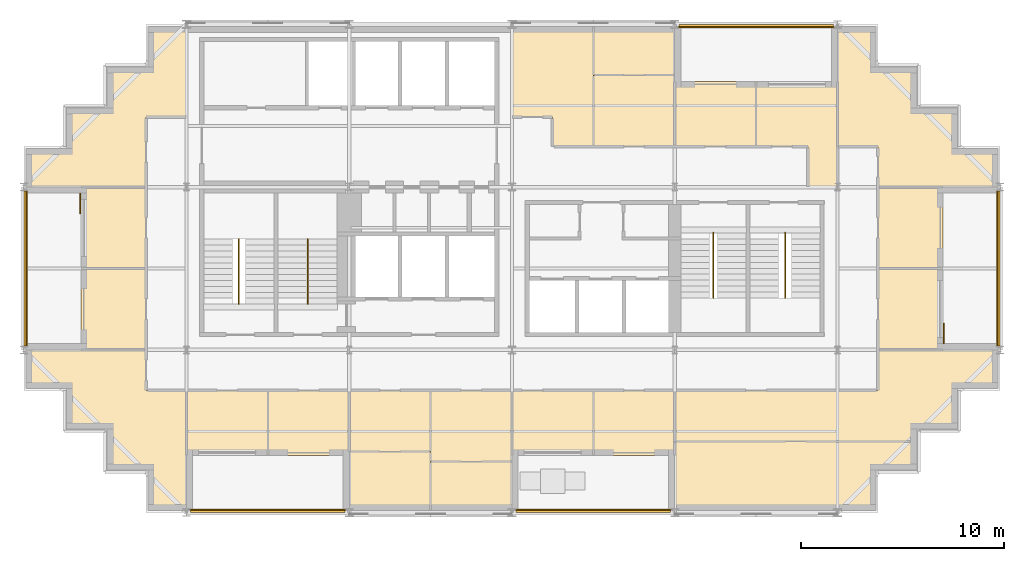
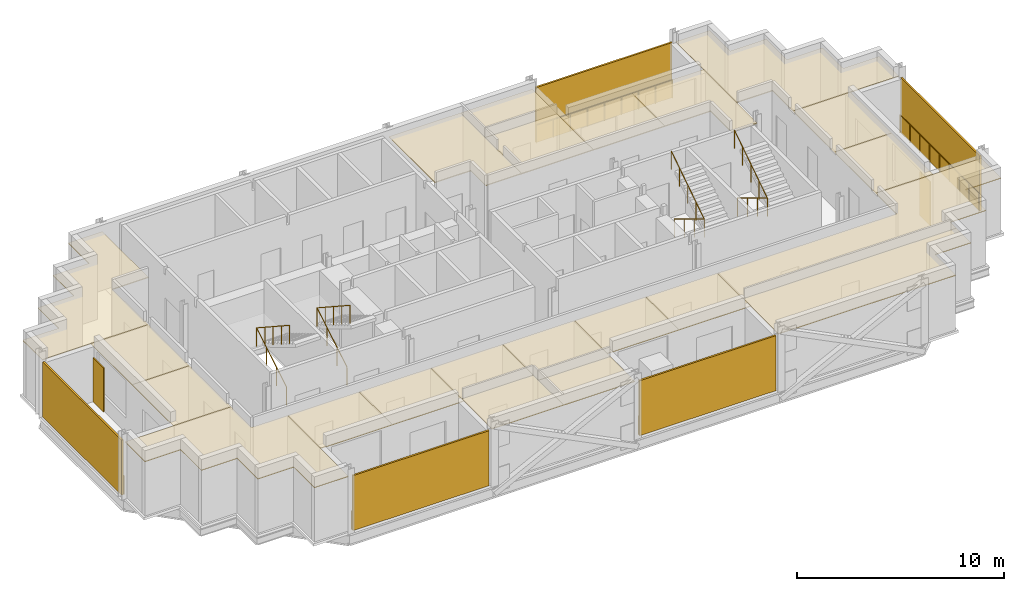
# One storey, part 9 of 10: 22 coverings, 9 railings, 7 shading devices.
"""IFC4 building model written with IfcOpenShell, lengths in metres."""

from ifc_helpers import new_model, si_unit, direction, frame, origin, origin_2d, place, context, subcontext, project, spatial, polyline, rectangle, circle, outline, extrude, material, layer, layer_set, type_object, element, save


model = new_model("IFC4")

# Units and contexts
model_context = context("Model", 3, precision=1e-05, world=origin(), true_north=direction((0.0, 1.0)))
body_context = subcontext(model_context, "Body", "Model", "MODEL_VIEW")
ifc_project = project(units=[si_unit("LENGTHUNIT", "METRE"), si_unit("AREAUNIT", "SQUARE_METRE"), si_unit("VOLUMEUNIT", "CUBIC_METRE"), si_unit("PLANEANGLEUNIT", "RADIAN"), si_unit("MASSUNIT", "GRAM", prefix="KILO")], contexts=[model_context])

# Site, building, storey
site_placement = place(None, origin())
site = spatial("IfcSite", under=ifc_project, at=site_placement, CompositionType="ELEMENT")
building_placement = place(site_placement, origin())
building = spatial("IfcBuilding", under=site, at=building_placement, Name="Immortelle Media Tower", CompositionType="ELEMENT")
storey_placement = place(building_placement, frame((0.0, 0.0, 275.0)))
storey = spatial("IfcBuildingStorey", under=building, at=storey_placement, Name="L60", CompositionType="ELEMENT", Elevation=275.0)

# Railings
ifc_material_1 = material(Name="Powder-coated aluminium fretwork panel, laminated glass backing", Category="aluminium")
railing_type_1 = type_object("IfcRailingType", Name="Fretwork balustrade 1100", PredefinedType="BALUSTRADE", material=ifc_material_1)
railing_1_placement = place(storey_placement, frame((8.1865234375, 0.139892578125, 0.0)))
element("IfcRailing", 1, at=railing_1_placement, inside=storey, type_object=railing_type_1, Name="Fretwork balustrade L60 S0", PredefinedType="BALUSTRADE", context=body_context, shape_type="SweptSolid", body=[
    extrude(circle(Radius=0.02490234375, at=origin_2d()), frame((0.0, 0.0, 1.0751953125), z_axis=(1.0, 0.0, 0.0), x_axis=(0.0, 1.0, 0.0)), (0.0, 0.0, 1.0), 7.614013671875),
    extrude(circle(Radius=0.02001953125, at=origin_2d()), origin(), (0.0, 0.0, 1.0), 1.050048828125),
    extrude(circle(Radius=0.02001953125, at=origin_2d()), frame((0.95166015625, 0.0, 0.0)), (0.0, 0.0, 1.0), 1.050048828125),
    extrude(circle(Radius=0.02001953125, at=origin_2d()), frame((1.903564453125, 0.0, 0.0)), (0.0, 0.0, 1.0), 1.050048828125),
    extrude(circle(Radius=0.02001953125, at=origin_2d()), frame((2.855224609375, 0.0, 0.0)), (0.0, 0.0, 1.0), 1.050048828125),
    extrude(circle(Radius=0.02001953125, at=origin_2d()), frame((3.80712890625, 0.0, 0.0)), (0.0, 0.0, 1.0), 1.050048828125),
    extrude(circle(Radius=0.02001953125, at=origin_2d()), frame((4.7587890625, 0.0, 0.0)), (0.0, 0.0, 1.0), 1.050048828125),
    extrude(circle(Radius=0.02001953125, at=origin_2d()), frame((5.71044921875, 0.0, 0.0)), (0.0, 0.0, 1.0), 1.050048828125),
    extrude(circle(Radius=0.02001953125, at=origin_2d()), frame((6.662353515625, 0.0, 0.0)), (0.0, 0.0, 1.0), 1.050048828125),
    extrude(circle(Radius=0.02001953125, at=origin_2d()), frame((7.614013671875, 0.0, 0.0)), (0.0, 0.0, 1.0), 1.050048828125),
])
railing_2_placement = place(storey_placement, frame((24.199462890625, 0.139892578125, 0.0)))
element("IfcRailing", 2, at=railing_2_placement, inside=storey, type_object=railing_type_1, Name="Fretwork balustrade L60 S2", PredefinedType="BALUSTRADE", context=body_context, shape_type="SweptSolid", body=[
    extrude(circle(Radius=0.02490234375, at=origin_2d()), frame((0.0, 0.0, 1.0751953125), z_axis=(1.0, 0.0, 0.0), x_axis=(0.0, 1.0, 0.0)), (0.0, 0.0, 1.0), 7.60107421875),
    extrude(circle(Radius=0.02001953125, at=origin_2d()), origin(), (0.0, 0.0, 1.0), 1.050048828125),
    extrude(circle(Radius=0.02001953125, at=origin_2d()), frame((0.9501953125, 0.0, 0.0)), (0.0, 0.0, 1.0), 1.050048828125),
    extrude(circle(Radius=0.02001953125, at=origin_2d()), frame((1.900390625, 0.0, 0.0)), (0.0, 0.0, 1.0), 1.050048828125),
    extrude(circle(Radius=0.02001953125, at=origin_2d()), frame((2.850341796875, 0.0, 0.0)), (0.0, 0.0, 1.0), 1.050048828125),
    extrude(circle(Radius=0.02001953125, at=origin_2d()), frame((3.800537109375, 0.0, 0.0)), (0.0, 0.0, 1.0), 1.050048828125),
    extrude(circle(Radius=0.02001953125, at=origin_2d()), frame((4.750732421875, 0.0, 0.0)), (0.0, 0.0, 1.0), 1.050048828125),
    extrude(circle(Radius=0.02001953125, at=origin_2d()), frame((5.70068359375, 0.0, 0.0)), (0.0, 0.0, 1.0), 1.050048828125),
    extrude(circle(Radius=0.02001953125, at=origin_2d()), frame((6.65087890625, 0.0, 0.0)), (0.0, 0.0, 1.0), 1.050048828125),
    extrude(circle(Radius=0.02001953125, at=origin_2d()), frame((7.60107421875, 0.0, 0.0)), (0.0, 0.0, 1.0), 1.050048828125),
])
railing_3_placement = place(storey_placement, frame((47.860107421875, 8.18408203125, 0.0)))
element("IfcRailing", 3, at=railing_3_placement, inside=storey, type_object=railing_type_1, Name="Fretwork balustrade L60 E0", PredefinedType="BALUSTRADE", context=body_context, shape_type="SweptSolid", body=[
    extrude(circle(Radius=0.02490234375, at=origin_2d()), frame((0.0, 0.0, 1.0751953125), z_axis=(0.0, 1.0, 0.0), x_axis=(-1.0, 0.0, 0.0)), (0.0, 0.0, 1.0), 7.6318359375),
    extrude(circle(Radius=0.02001953125, at=origin_2d()), origin(), (0.0, 0.0, 1.0), 1.050048828125),
    extrude(circle(Radius=0.02001953125, at=origin_2d()), frame((0.0, 0.9541015625, 0.0)), (0.0, 0.0, 1.0), 1.050048828125),
    extrude(circle(Radius=0.02001953125, at=origin_2d()), frame((0.0, 1.907958984375, 0.0)), (0.0, 0.0, 1.0), 1.050048828125),
    extrude(circle(Radius=0.02001953125, at=origin_2d()), frame((0.0, 2.86181640625, 0.0)), (0.0, 0.0, 1.0), 1.050048828125),
    extrude(circle(Radius=0.02001953125, at=origin_2d()), frame((0.0, 3.81591796875, 0.0)), (0.0, 0.0, 1.0), 1.050048828125),
    extrude(circle(Radius=0.02001953125, at=origin_2d()), frame((0.0, 4.77001953125, 0.0)), (0.0, 0.0, 1.0), 1.050048828125),
    extrude(circle(Radius=0.02001953125, at=origin_2d()), frame((0.0, 5.723876953125, 0.0)), (0.0, 0.0, 1.0), 1.050048828125),
    extrude(circle(Radius=0.02001953125, at=origin_2d()), frame((0.0, 6.677734375, 0.0)), (0.0, 0.0, 1.0), 1.050048828125),
    extrude(circle(Radius=0.02001953125, at=origin_2d()), frame((0.0, 7.6318359375, 0.0)), (0.0, 0.0, 1.0), 1.050048828125),
])
railing_4_placement = place(storey_placement, frame((39.8134765625, 23.860107421875, 0.0)))
element("IfcRailing", 4, at=railing_4_placement, inside=storey, type_object=railing_type_1, Name="Fretwork balustrade L60 N0", PredefinedType="BALUSTRADE", context=body_context, shape_type="SweptSolid", body=[
    extrude(circle(Radius=0.02490234375, at=origin_2d()), frame((0.0, 0.0, 1.0751953125), z_axis=(-1.0, 0.0, 0.0), x_axis=(0.0, -1.0, 0.0)), (0.0, 0.0, 1.0), 7.614013671875),
    extrude(circle(Radius=0.02001953125, at=origin_2d()), origin(), (0.0, 0.0, 1.0), 1.050048828125),
    extrude(circle(Radius=0.02001953125, at=origin_2d()), frame((-0.95166015625, 0.0, 0.0)), (0.0, 0.0, 1.0), 1.050048828125),
    extrude(circle(Radius=0.02001953125, at=origin_2d()), frame((-1.903564453125, 0.0, 0.0)), (0.0, 0.0, 1.0), 1.050048828125),
    extrude(circle(Radius=0.02001953125, at=origin_2d()), frame((-2.855224609375, 0.0, 0.0)), (0.0, 0.0, 1.0), 1.050048828125),
    extrude(circle(Radius=0.02001953125, at=origin_2d()), frame((-3.80712890625, 0.0, 0.0)), (0.0, 0.0, 1.0), 1.050048828125),
    extrude(circle(Radius=0.02001953125, at=origin_2d()), frame((-4.7587890625, 0.0, 0.0)), (0.0, 0.0, 1.0), 1.050048828125),
    extrude(circle(Radius=0.02001953125, at=origin_2d()), frame((-5.71044921875, 0.0, 0.0)), (0.0, 0.0, 1.0), 1.050048828125),
    extrude(circle(Radius=0.02001953125, at=origin_2d()), frame((-6.662353515625, 0.0, 0.0)), (0.0, 0.0, 1.0), 1.050048828125),
    extrude(circle(Radius=0.02001953125, at=origin_2d()), frame((-7.614013671875, 0.0, 0.0)), (0.0, 0.0, 1.0), 1.050048828125),
])
railing_5_placement = place(storey_placement, frame((0.139892578125, 15.81591796875, 0.0)))
element("IfcRailing", 5, at=railing_5_placement, inside=storey, type_object=railing_type_1, Name="Fretwork balustrade L60 W0", PredefinedType="BALUSTRADE", context=body_context, shape_type="SweptSolid", body=[
    extrude(circle(Radius=0.02490234375, at=origin_2d()), frame((0.0, 0.0, 1.0751953125), z_axis=(0.0, -1.0, 0.0), x_axis=(1.0, 0.0, 0.0)), (0.0, 0.0, 1.0), 7.6318359375),
    extrude(circle(Radius=0.02001953125, at=origin_2d()), origin(), (0.0, 0.0, 1.0), 1.050048828125),
    extrude(circle(Radius=0.02001953125, at=origin_2d()), frame((0.0, -0.9541015625, 0.0)), (0.0, 0.0, 1.0), 1.050048828125),
    extrude(circle(Radius=0.02001953125, at=origin_2d()), frame((0.0, -1.907958984375, 0.0)), (0.0, 0.0, 1.0), 1.050048828125),
    extrude(circle(Radius=0.02001953125, at=origin_2d()), frame((0.0, -2.86181640625, 0.0)), (0.0, 0.0, 1.0), 1.050048828125),
    extrude(circle(Radius=0.02001953125, at=origin_2d()), frame((0.0, -3.81591796875, 0.0)), (0.0, 0.0, 1.0), 1.050048828125),
    extrude(circle(Radius=0.02001953125, at=origin_2d()), frame((0.0, -4.77001953125, 0.0)), (0.0, 0.0, 1.0), 1.050048828125),
    extrude(circle(Radius=0.02001953125, at=origin_2d()), frame((0.0, -5.723876953125, 0.0)), (0.0, 0.0, 1.0), 1.050048828125),
    extrude(circle(Radius=0.02001953125, at=origin_2d()), frame((0.0, -6.677734375, 0.0)), (0.0, 0.0, 1.0), 1.050048828125),
    extrude(circle(Radius=0.02001953125, at=origin_2d()), frame((0.0, -7.6318359375, 0.0)), (0.0, 0.0, 1.0), 1.050048828125),
])

# Shading devices
ifc_material_2 = material(Name="Pale aluminium louvre blades", Category="aluminium")
ifc_layer_1 = layer(ifc_material_2, 0.10009765625)
ifc_layer_set_1 = layer_set([ifc_layer_1], Name="Pale aluminium louvre blades")
shading_device_type_1 = type_object("IfcShadingDeviceType", Name="Jalousie screen 100", PredefinedType="JALOUSIE", material=ifc_layer_set_1)
shading_device_1_placement = place(storey_placement, frame((11.993408203125, 0.050048828125, 0.0), z_axis=(0.0, 0.0, 1.0), x_axis=(1.0, 0.0, 0.0)))
element("IfcShadingDevice", 6, at=shading_device_1_placement, inside=storey, type_object=shading_device_type_1, Name="Jalousie screen L60 S0", PredefinedType="JALOUSIE", context=body_context, shape_type="SweptSolid", body=[
    extrude(rectangle(XDim=7.614013671875, YDim=0.10009765625, at=origin_2d()), origin(), (0.0, 0.0, 1.0), 3.248046875),
])
shading_device_2_placement = place(storey_placement, frame((28.0, 0.050048828125, 0.0), z_axis=(0.0, 0.0, 1.0), x_axis=(1.0, 0.0, 0.0)))
element("IfcShadingDevice", 7, at=shading_device_2_placement, inside=storey, type_object=shading_device_type_1, Name="Jalousie screen L60 S2", PredefinedType="JALOUSIE", context=body_context, shape_type="SweptSolid", body=[
    extrude(rectangle(XDim=7.60107421875, YDim=0.10009765625, at=origin_2d()), origin(), (0.0, 0.0, 1.0), 3.248046875),
])
shading_device_3_placement = place(storey_placement, frame((47.949951171875, 12.0, 0.0), z_axis=(0.0, 0.0, 1.0), x_axis=(0.0, 1.0, 0.0)))
element("IfcShadingDevice", 8, at=shading_device_3_placement, inside=storey, type_object=shading_device_type_1, Name="Jalousie screen L60 E0", PredefinedType="JALOUSIE", context=body_context, shape_type="SweptSolid", body=[
    extrude(rectangle(XDim=7.632080078125, YDim=0.10009765625, at=origin_2d()), origin(), (0.0, 0.0, 1.0), 3.248046875),
])
shading_device_4_placement = place(storey_placement, frame((36.006591796875, 23.949951171875, 0.0), z_axis=(0.0, 0.0, 1.0), x_axis=(-1.0, 0.0, 0.0)))
element("IfcShadingDevice", 9, at=shading_device_4_placement, inside=storey, type_object=shading_device_type_1, Name="Jalousie screen L60 N0", PredefinedType="JALOUSIE", context=body_context, shape_type="SweptSolid", body=[
    extrude(rectangle(XDim=7.614013671875, YDim=0.10009765625, at=origin_2d()), origin(), (0.0, 0.0, 1.0), 3.248046875),
])
shading_device_5_placement = place(storey_placement, frame((0.050048828125, 12.0, 0.0), z_axis=(0.0, 0.0, 1.0), x_axis=(0.0, -1.0, 0.0)))
element("IfcShadingDevice", 10, at=shading_device_5_placement, inside=storey, type_object=shading_device_type_1, Name="Jalousie screen L60 W0", PredefinedType="JALOUSIE", context=body_context, shape_type="SweptSolid", body=[
    extrude(rectangle(XDim=7.632080078125, YDim=0.10009765625, at=origin_2d()), origin(), (0.0, 0.0, 1.0), 3.248046875),
])
ifc_material_3 = material(Name="Pale aluminium louvre blades in a folding frame", Category="aluminium")
ifc_layer_2 = layer(ifc_material_3, 0.050048828125)
ifc_layer_set_2 = layer_set([ifc_layer_2], Name="Pale aluminium louvre blades in a folding frame")
shading_device_type_2 = type_object("IfcShadingDeviceType", Name="Louvred loggia shutter", PredefinedType="SHUTTER", material=ifc_layer_set_2)
for number, where, z_axis, x_axis, name in (
    (11, (45.22509765625, 8.800048828125, 0.0), (0.0, 0.0, 1.0), (0.0, 1.0, 0.0), "Loggia shutter L60 E0"),
    (12, (2.77490234375, 15.199951171875, 0.0), (0.0, 0.0, 1.0), (0.0, -1.0, 0.0), "Loggia shutter L60 W0"),
):
    element("IfcShadingDevice", number, at=place(storey_placement, frame(where, z_axis=z_axis, x_axis=x_axis)), inside=storey, type_object=shading_device_type_2, Name=name, PredefinedType="SHUTTER", context=body_context, shape_type="SweptSolid", body=[
        extrude(rectangle(XDim=1.0, YDim=0.050048828125, at=origin_2d()), origin(), (0.0, 0.0, 1.0), 2.60009765625),
    ])

# Railings
ifc_material_4 = material(Name="Stainless steel AISI 316", Category="steel")
railing_type_2 = type_object("IfcRailingType", Name="Stair guard 1100", PredefinedType="GUARDRAIL", material=ifc_material_4)
for number, where, name in (
    (13, (10.574951171875, 10.5400390625, 0.173828125), "Stair guard SW1"),
    (14, (13.949951171875, 10.5400390625, 0.173828125), "Stair guard SW2"),
):
    element("IfcRailing", number, at=place(storey_placement, frame(where)), inside=storey, type_object=railing_type_2, Name=name, PredefinedType="GUARDRAIL", context=body_context, shape_type="SweptSolid", body=[
        extrude(circle(Radius=0.02392578125, at=origin_2d()), frame((0.0, 0.0, 1.076171875), z_axis=(0.0, 0.857582100076, 0.514347102285), x_axis=(-1.0, 0.0, 0.0)), (0.0, 0.0, 1.0), 3.381591796875),
        extrude(circle(Radius=0.02392578125, at=origin_2d()), frame((0.0, 2.89990234375, 2.8154296875), z_axis=(0.0, -0.836827423118, 0.547466769693), x_axis=(1.0, 0.0, 0.0)), (0.0, 0.0, 1.0), 3.81201171875),
        extrude(circle(Radius=0.02099609375, at=origin_2d()), origin(), (0.0, 0.0, 1.0), 1.052001953125),
        extrude(circle(Radius=0.02099609375, at=origin_2d()), frame((0.0, 0.966552734375, 0.579833984375)), (0.0, 0.0, 1.0), 1.052001953125),
        extrude(circle(Radius=0.02099609375, at=origin_2d()), frame((0.0, 1.933349609375, 1.159423828125)), (0.0, 0.0, 1.0), 1.052001953125),
        extrude(circle(Radius=0.02099609375, at=origin_2d()), frame((0.0, 2.89990234375, 1.7392578125)), (0.0, 0.0, 1.0), 1.052001953125),
        extrude(circle(Radius=0.02099609375, at=origin_2d()), frame((0.0, 2.1025390625, 2.260986328125)), (0.0, 0.0, 1.0), 1.052001953125),
        extrude(circle(Radius=0.02099609375, at=origin_2d()), frame((0.0, 1.304931640625, 2.78271484375)), (0.0, 0.0, 1.0), 1.052001953125),
        extrude(circle(Radius=0.02099609375, at=origin_2d()), frame((0.0, 0.50732421875, 3.304443359375)), (0.0, 0.0, 1.0), 1.052001953125),
        extrude(circle(Radius=0.02099609375, at=origin_2d()), frame((0.0, -0.2900390625, 3.826171875)), (0.0, 0.0, 1.0), 1.052001953125),
    ])
for number, where, name in (
    (15, (33.89990234375, 13.4599609375, 0.173828125), "Stair guard SE1"),
    (16, (37.425048828125, 13.4599609375, 0.173828125), "Stair guard SE2"),
):
    element("IfcRailing", number, at=place(storey_placement, frame(where)), inside=storey, type_object=railing_type_2, Name=name, PredefinedType="GUARDRAIL", context=body_context, shape_type="SweptSolid", body=[
        extrude(circle(Radius=0.02392578125, at=origin_2d()), frame((0.0, 0.0, 1.076171875), z_axis=(0.0, -0.857582100076, 0.514347102285), x_axis=(1.0, 0.0, 0.0)), (0.0, 0.0, 1.0), 3.381591796875),
        extrude(circle(Radius=0.02392578125, at=origin_2d()), frame((0.0, -2.89990234375, 2.8154296875), z_axis=(0.0, 0.836827423118, 0.547466769693), x_axis=(-1.0, 0.0, 0.0)), (0.0, 0.0, 1.0), 3.81201171875),
        extrude(circle(Radius=0.02099609375, at=origin_2d()), origin(), (0.0, 0.0, 1.0), 1.052001953125),
        extrude(circle(Radius=0.02099609375, at=origin_2d()), frame((0.0, -0.966552734375, 0.579833984375)), (0.0, 0.0, 1.0), 1.052001953125),
        extrude(circle(Radius=0.02099609375, at=origin_2d()), frame((0.0, -1.933349609375, 1.159423828125)), (0.0, 0.0, 1.0), 1.052001953125),
        extrude(circle(Radius=0.02099609375, at=origin_2d()), frame((0.0, -2.89990234375, 1.7392578125)), (0.0, 0.0, 1.0), 1.052001953125),
        extrude(circle(Radius=0.02099609375, at=origin_2d()), frame((0.0, -2.1025390625, 2.260986328125)), (0.0, 0.0, 1.0), 1.052001953125),
        extrude(circle(Radius=0.02099609375, at=origin_2d()), frame((0.0, -1.304931640625, 2.78271484375)), (0.0, 0.0, 1.0), 1.052001953125),
        extrude(circle(Radius=0.02099609375, at=origin_2d()), frame((0.0, -0.50732421875, 3.304443359375)), (0.0, 0.0, 1.0), 1.052001953125),
        extrude(circle(Radius=0.02099609375, at=origin_2d()), frame((0.0, 0.2900390625, 3.826171875)), (0.0, 0.0, 1.0), 1.052001953125),
    ])

# Coverings
ifc_material_5 = material(Name="Mineral fibre tile ceiling")
ifc_layer_3 = layer(ifc_material_5, 0.050048828125)
ifc_layer_set_3 = layer_set([ifc_layer_3], Name="Mineral fibre tile ceiling")
covering_type = type_object("IfcCoveringType", Name="Suspended ceiling 50", PredefinedType="CEILING", material=ifc_layer_set_3)
covering_1_placement = place(storey_placement, frame((0.0, 0.0, 3.18798828125)))
element("IfcCovering", 17, at=covering_1_placement, inside=storey, type_object=covering_type, Name="Ceiling L60-001", PredefinedType="CEILING", context=body_context, shape_type="SweptSolid", body=[
    extrude(outline(polyline([(16.0, 6.0), (20.0, 6.0), (20.0, 3.0), (16.0, 3.0), (16.0, 6.0)])), origin(), (0.0, 0.0, 1.0), 0.050048828125),
])
covering_2_placement = place(storey_placement, frame((0.0, 0.0, 3.18798828125)))
element("IfcCovering", 18, at=covering_2_placement, inside=storey, type_object=covering_type, Name="Ceiling L60-002", PredefinedType="CEILING", context=body_context, shape_type="SweptSolid", body=[
    extrude(outline(polyline([(16.0, 3.0), (20.0, 3.0), (20.0, 0.10009765625), (16.0, 0.10009765625), (16.0, 2.800048828125), (16.0, 3.0)])), origin(), (0.0, 0.0, 1.0), 0.050048828125),
])
covering_3_placement = place(storey_placement, frame((0.0, 0.0, 3.18798828125)))
element("IfcCovering", 19, at=covering_3_placement, inside=storey, type_object=covering_type, Name="Ceiling L60-003", PredefinedType="CEILING", context=body_context, shape_type="SweptSolid", body=[
    extrude(outline(polyline([(24.0, 2.800048828125), (24.0, 2.5), (20.0, 2.5), (20.0, 6.0), (24.0, 6.0), (24.0, 2.800048828125)])), origin(), (0.0, 0.0, 1.0), 0.050048828125),
])
covering_4_placement = place(storey_placement, frame((0.0, 0.0, 3.18798828125)))
element("IfcCovering", 20, at=covering_4_placement, inside=storey, type_object=covering_type, Name="Ceiling L60-004", PredefinedType="CEILING", context=body_context, shape_type="SweptSolid", body=[
    extrude(outline(polyline([(24.0, 0.10009765625), (20.0, 0.10009765625), (20.0, 2.5), (24.0, 2.5), (24.0, 0.10009765625)])), origin(), (0.0, 0.0, 1.0), 0.050048828125),
])
covering_5_placement = place(storey_placement, frame((0.0, 0.0, 3.18798828125)))
element("IfcCovering", 21, at=covering_5_placement, inside=storey, type_object=covering_type, Name="Ceiling L60-005", PredefinedType="CEILING", context=body_context, shape_type="SweptSolid", body=[
    extrude(outline(polyline([(32.0, 6.0), (40.0, 6.0), (42.0, 6.0), (42.0, 8.0), (45.199951171875, 8.0), (47.89990234375, 8.0), (47.89990234375, 6.10009765625), (45.89990234375, 6.10009765625), (45.89990234375, 4.10009765625), (43.89990234375, 4.10009765625), (43.89990234375, 3.5), (32.0, 3.5), (32.0, 6.0)])), origin(), (0.0, 0.0, 1.0), 0.050048828125),
])
covering_6_placement = place(storey_placement, frame((0.0, 0.0, 3.18798828125)))
element("IfcCovering", 22, at=covering_6_placement, inside=storey, type_object=covering_type, Name="Ceiling L60-006", PredefinedType="CEILING", context=body_context, shape_type="SweptSolid", body=[
    extrude(outline(polyline([(32.0, 3.5), (43.89990234375, 3.5), (43.89990234375, 2.10009765625), (41.89990234375, 2.10009765625), (41.89990234375, 0.10009765625), (40.0, 0.10009765625), (32.0, 0.10009765625), (32.0, 2.800048828125), (32.0, 3.5)])), origin(), (0.0, 0.0, 1.0), 0.050048828125),
])
covering_7_placement = place(storey_placement, frame((0.0, 0.0, 3.18798828125)))
element("IfcCovering", 23, at=covering_7_placement, inside=storey, type_object=covering_type, Name="Ceiling L60-007", PredefinedType="CEILING", context=body_context, shape_type="SweptSolid", body=[
    extrude(outline(polyline([(8.0, 6.0), (12.0, 6.0), (12.0, 2.800048828125), (8.0, 2.800048828125), (8.0, 6.0)])), origin(), (0.0, 0.0, 1.0), 0.050048828125),
])
covering_8_placement = place(storey_placement, frame((0.0, 0.0, 3.18798828125)))
element("IfcCovering", 24, at=covering_8_placement, inside=storey, type_object=covering_type, Name="Ceiling L60-008", PredefinedType="CEILING", context=body_context, shape_type="SweptSolid", body=[
    extrude(outline(polyline([(16.0, 6.0), (16.0, 2.800048828125), (12.0, 2.800048828125), (12.0, 6.0), (16.0, 6.0)])), origin(), (0.0, 0.0, 1.0), 0.050048828125),
])
covering_9_placement = place(storey_placement, frame((0.0, 0.0, 3.18798828125)))
element("IfcCovering", 25, at=covering_9_placement, inside=storey, type_object=covering_type, Name="Ceiling L60-009", PredefinedType="CEILING", context=body_context, shape_type="SweptSolid", body=[
    extrude(outline(polyline([(24.0, 6.0), (26.0, 6.0), (28.0, 6.0), (28.0, 2.800048828125), (24.0, 2.800048828125), (24.0, 6.0)])), origin(), (0.0, 0.0, 1.0), 0.050048828125),
])
covering_10_placement = place(storey_placement, frame((0.0, 0.0, 3.18798828125)))
element("IfcCovering", 26, at=covering_10_placement, inside=storey, type_object=covering_type, Name="Ceiling L60-010", PredefinedType="CEILING", context=body_context, shape_type="SweptSolid", body=[
    extrude(outline(polyline([(32.0, 6.0), (32.0, 2.800048828125), (28.0, 2.800048828125), (28.0, 6.0), (32.0, 6.0)])), origin(), (0.0, 0.0, 1.0), 0.050048828125),
])
covering_11_placement = place(storey_placement, frame((0.0, 0.0, 3.18798828125)))
element("IfcCovering", 27, at=covering_11_placement, inside=storey, type_object=covering_type, Name="Ceiling L60-011", PredefinedType="CEILING", context=body_context, shape_type="SweptSolid", body=[
    extrude(outline(polyline([(6.10009765625, 0.10009765625), (6.10009765625, 2.10009765625), (4.10009765625, 2.10009765625), (4.10009765625, 4.10009765625), (2.10009765625, 4.10009765625), (2.10009765625, 6.10009765625), (0.10009765625, 6.10009765625), (0.10009765625, 8.0), (2.800048828125, 8.0), (6.0, 8.0), (6.0, 6.0), (8.0, 6.0), (8.0, 2.800048828125), (8.0, 0.10009765625), (6.10009765625, 0.10009765625)])), origin(), (0.0, 0.0, 1.0), 0.050048828125),
])
covering_12_placement = place(storey_placement, frame((0.0, 0.0, 3.18798828125)))
element("IfcCovering", 28, at=covering_12_placement, inside=storey, type_object=covering_type, Name="Ceiling L60-012", PredefinedType="CEILING", context=body_context, shape_type="SweptSolid", body=[
    extrude(outline(polyline([(2.800048828125, 8.0), (2.800048828125, 12.0), (6.0, 12.0), (6.0, 8.0), (2.800048828125, 8.0)])), origin(), (0.0, 0.0, 1.0), 0.050048828125),
])
covering_13_placement = place(storey_placement, frame((0.0, 0.0, 3.18798828125)))
element("IfcCovering", 29, at=covering_13_placement, inside=storey, type_object=covering_type, Name="Ceiling L60-013", PredefinedType="CEILING", context=body_context, shape_type="SweptSolid", body=[
    extrude(outline(polyline([(2.800048828125, 16.0), (6.0, 16.0), (6.0, 12.0), (2.800048828125, 12.0), (2.800048828125, 16.0)])), origin(), (0.0, 0.0, 1.0), 0.050048828125),
])
covering_14_placement = place(storey_placement, frame((0.0, 0.0, 3.18798828125)))
element("IfcCovering", 30, at=covering_14_placement, inside=storey, type_object=covering_type, Name="Ceiling L60-014", PredefinedType="CEILING", context=body_context, shape_type="SweptSolid", body=[
    extrude(outline(polyline([(42.0, 8.0), (42.0, 12.0), (45.199951171875, 12.0), (45.199951171875, 8.0), (42.0, 8.0)])), origin(), (0.0, 0.0, 1.0), 0.050048828125),
])
covering_15_placement = place(storey_placement, frame((0.0, 0.0, 3.18798828125)))
element("IfcCovering", 31, at=covering_15_placement, inside=storey, type_object=covering_type, Name="Ceiling L60-015", PredefinedType="CEILING", context=body_context, shape_type="SweptSolid", body=[
    extrude(outline(polyline([(42.0, 16.0), (45.199951171875, 16.0), (45.199951171875, 12.0), (42.0, 12.0), (42.0, 16.0)])), origin(), (0.0, 0.0, 1.0), 0.050048828125),
])
covering_16_placement = place(storey_placement, frame((0.0, 0.0, 3.18798828125)))
element("IfcCovering", 32, at=covering_16_placement, inside=storey, type_object=covering_type, Name="Ceiling L60-016", PredefinedType="CEILING", context=body_context, shape_type="SweptSolid", body=[
    extrude(outline(polyline([(2.800048828125, 16.0), (0.10009765625, 16.0), (0.10009765625, 17.89990234375), (2.10009765625, 17.89990234375), (2.10009765625, 19.89990234375), (4.10009765625, 19.89990234375), (4.10009765625, 20.0), (4.10009765625, 21.89990234375), (6.10009765625, 21.89990234375), (6.10009765625, 23.89990234375), (8.0, 23.89990234375), (8.0, 20.0), (8.0, 19.449951171875), (6.0, 19.449951171875), (6.0, 16.0), (2.800048828125, 16.0)])), origin(), (0.0, 0.0, 1.0), 0.050048828125),
])
covering_17_placement = place(storey_placement, frame((0.0, 0.0, 3.18798828125)))
element("IfcCovering", 33, at=covering_17_placement, inside=storey, type_object=covering_type, Name="Ceiling L60-017", PredefinedType="CEILING", context=body_context, shape_type="SweptSolid", body=[
    extrude(outline(polyline([(45.199951171875, 16.0), (42.0, 16.0), (42.0, 18.0), (40.0, 18.0), (40.0, 21.199951171875), (40.0, 23.89990234375), (41.89990234375, 23.89990234375), (41.89990234375, 21.89990234375), (43.89990234375, 21.89990234375), (43.89990234375, 19.89990234375), (45.89990234375, 19.89990234375), (45.89990234375, 17.89990234375), (47.89990234375, 17.89990234375), (47.89990234375, 16.0), (45.199951171875, 16.0)])), origin(), (0.0, 0.0, 1.0), 0.050048828125),
])
covering_18_placement = place(storey_placement, frame((0.0, 0.0, 3.18798828125)))
element("IfcCovering", 34, at=covering_18_placement, inside=storey, type_object=covering_type, Name="Ceiling L60-018", PredefinedType="CEILING", context=body_context, shape_type="SweptSolid", body=[
    extrude(outline(polyline([(32.0, 18.0), (32.0, 21.199951171875), (36.0, 21.199951171875), (36.0, 18.0), (32.0, 18.0)])), origin(), (0.0, 0.0, 1.0), 0.050048828125),
])
covering_19_placement = place(storey_placement, frame((0.0, 0.0, 3.18798828125)))
element("IfcCovering", 35, at=covering_19_placement, inside=storey, type_object=covering_type, Name="Ceiling L60-019", PredefinedType="CEILING", context=body_context, shape_type="SweptSolid", body=[
    extrude(outline(polyline([(38.550048828125, 18.0), (36.0, 18.0), (36.0, 21.199951171875), (40.0, 21.199951171875), (40.0, 18.0), (40.0, 16.0), (38.550048828125, 16.0), (38.550048828125, 18.0)])), origin(), (0.0, 0.0, 1.0), 0.050048828125),
])
covering_20_placement = place(storey_placement, frame((0.0, 0.0, 3.18798828125)))
element("IfcCovering", 36, at=covering_20_placement, inside=storey, type_object=covering_type, Name="Ceiling L60-020", PredefinedType="CEILING", context=body_context, shape_type="SweptSolid", body=[
    extrude(outline(polyline([(26.0, 18.0), (26.0, 19.449951171875), (24.0, 19.449951171875), (24.0, 21.199951171875), (24.0, 23.89990234375), (28.0, 23.89990234375), (28.0, 18.0), (27.0, 18.0), (26.0, 18.0)])), origin(), (0.0, 0.0, 1.0), 0.050048828125),
])
covering_21_placement = place(storey_placement, frame((0.0, 0.0, 3.18798828125)))
element("IfcCovering", 37, at=covering_21_placement, inside=storey, type_object=covering_type, Name="Ceiling L60-021", PredefinedType="CEILING", context=body_context, shape_type="SweptSolid", body=[
    extrude(outline(polyline([(32.0, 21.199951171875), (32.0, 18.0), (28.0, 18.0), (28.0, 21.5), (32.0, 21.5), (32.0, 21.199951171875)])), origin(), (0.0, 0.0, 1.0), 0.050048828125),
])
covering_22_placement = place(storey_placement, frame((0.0, 0.0, 3.18798828125)))
element("IfcCovering", 38, at=covering_22_placement, inside=storey, type_object=covering_type, Name="Ceiling L60-022", PredefinedType="CEILING", context=body_context, shape_type="SweptSolid", body=[
    extrude(outline(polyline([(32.0, 21.5), (28.0, 21.5), (28.0, 23.89990234375), (32.0, 23.89990234375), (32.0, 21.5)])), origin(), (0.0, 0.0, 1.0), 0.050048828125),
])

save(model, "model.ifc")
